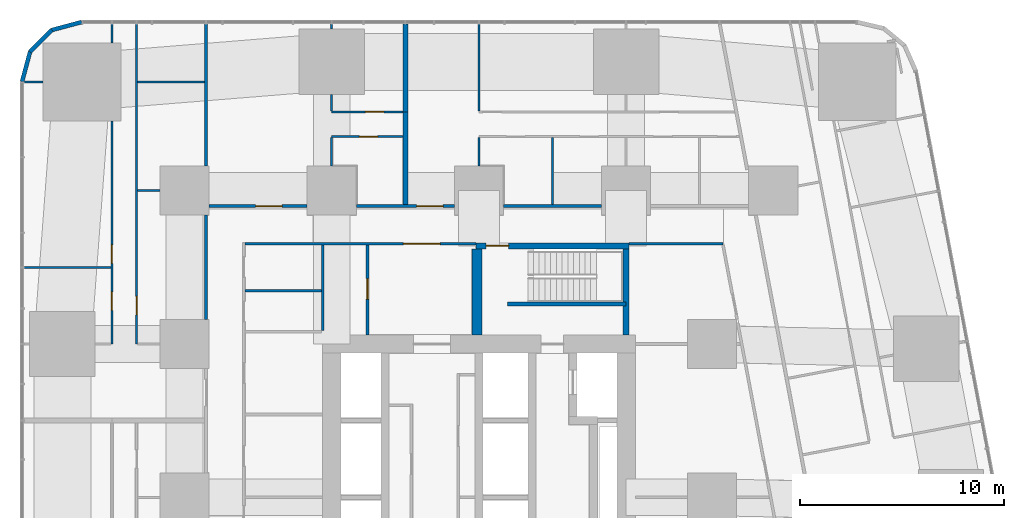
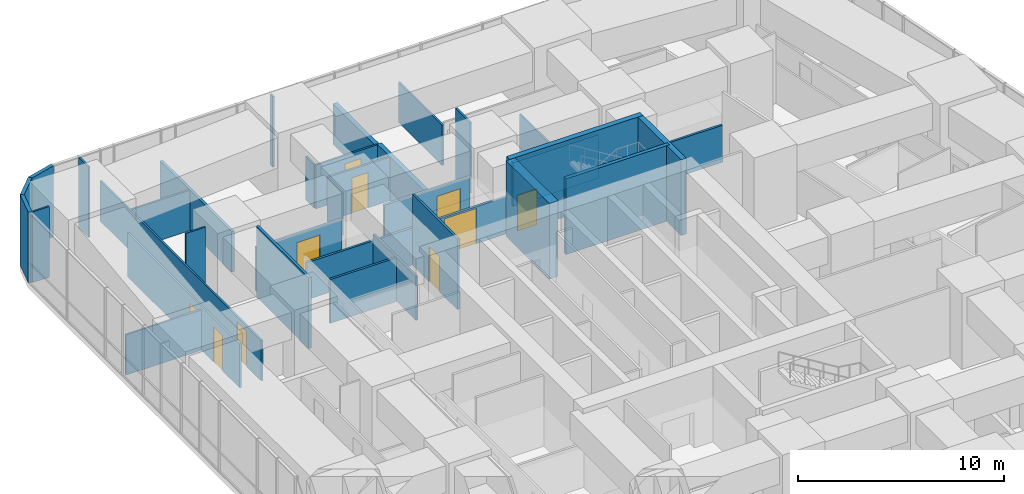
# One storey, part 18 of 22: 34 walls, 10 doors, 10 openings.
"""IFC4 building model written with IfcOpenShell, lengths in metres."""

from ifc_helpers import new_model, si_unit, direction, frame, frame_2d, origin, place, context, subcontext, project, spatial, rectangle, extrude, material, layer, layer_set, type_object, element, fill, save


model = new_model("IFC4")

# Units and contexts
model_context = context("Model", 3, precision=1e-05, world=origin(), true_north=direction((0.0, 1.0)))
body_context = subcontext(model_context, "Body", "Model", "MODEL_VIEW")
ifc_project = project(units=[si_unit("LENGTHUNIT", "METRE"), si_unit("AREAUNIT", "SQUARE_METRE"), si_unit("VOLUMEUNIT", "CUBIC_METRE"), si_unit("PLANEANGLEUNIT", "RADIAN"), si_unit("MASSUNIT", "GRAM", prefix="KILO")], contexts=[model_context])

# Site, building, storey
site_placement = place(None, origin())
site = spatial("IfcSite", under=ifc_project, at=site_placement, CompositionType="ELEMENT")
building_placement = place(site_placement, origin())
building = spatial("IfcBuilding", under=site, at=building_placement, Name="Sheger Commons Tower", CompositionType="ELEMENT")
storey_placement = place(building_placement, frame((0.0, 0.0, 10.10009765625)))
storey = spatial("IfcBuildingStorey", under=building, at=storey_placement, Name="L02", CompositionType="ELEMENT", Elevation=10.10009765625)

# Walls
ifc_material_1 = material(Name="Hollow concrete block masonry, skimmed both sides", Category="masonry")
ifc_layer_1 = layer(ifc_material_1, 0.14990234375)
ifc_layer_set_1 = layer_set([ifc_layer_1], Name="CORRIDOR WALL 150")
wall_type_1 = type_object("IfcWallType", Name="CORRIDOR WALL 150", PredefinedType="SOLIDWALL", material=ifc_layer_set_1)
wall_1_placement = place(storey_placement, frame((8.25, 31.200927734375, 0.0), z_axis=(0.0, 0.0, 1.0), x_axis=(0.0, 1.0, 0.0)))
element("IfcWall", 1, at=wall_1_placement, inside=storey, type_object=wall_type_1, Name="Corridor wall L02", PredefinedType="SOLIDWALL", context=body_context, shape_type="SweptSolid", body=[
    extrude(rectangle(XDim=5.09814453125, YDim=0.14990234375, at=frame_2d((2.549072265625, 0.0))), origin(), (0.0, 0.0, 1.0), 4.199951171875),
])
wall_2_placement = place(storey_placement, frame((8.25, 38.700927734375, 0.0), z_axis=(0.0, 0.0, 1.0), x_axis=(0.0, 1.0, 0.0)))
element("IfcWall", 2, at=wall_2_placement, inside=storey, type_object=wall_type_1, Name="Corridor wall L02", PredefinedType="SOLIDWALL", context=body_context, shape_type="SweptSolid", body=[
    extrude(rectangle(XDim=6.948974609375, YDim=0.14990234375, at=frame_2d((3.474609375, 0.0))), origin(), (0.0, 0.0, 1.0), 2.39990234375),
])

# Wall, opening, door
wall_3_placement = place(storey_placement, frame((8.40087890625, 36.75, 0.0), z_axis=(0.0, 0.0, 1.0), x_axis=(1.0, 0.0, 0.0)))
wall_3 = element("IfcWall", 3, at=wall_3_placement, inside=storey, type_object=wall_type_1, Name="Corridor wall L02", PredefinedType="SOLIDWALL", context=body_context, shape_type="SweptSolid", body=[
    extrude(rectangle(XDim=4.798095703125, YDim=0.14990234375, at=frame_2d((2.39892578125, 0.0))), origin(), (0.0, 0.0, 1.0), 2.599853515625),
])
opening_1_placement = place(wall_3_placement, frame((2.27392578125, 0.0, 0.0)))
opening_1 = element("IfcOpeningElement", 4, at=opening_1_placement, cuts=wall_3, Name="Opening D9", PredefinedType="OPENING", context=body_context, shape_type="SweptSolid", body=[
    extrude(rectangle(XDim=1.300048828125, YDim=2.10009765625, at=frame_2d((0.64990234375, 1.050048828125))), frame((0.0, 0.0849609375, 0.0), z_axis=(0.0, -1.0, 0.0), x_axis=(1.0, 0.0, 0.0)), (0.0, 0.0, 1.0), 0.169921875),
])
ifc_material_2 = material(Name="Steel door set, fire rated", Category="steel")
door_type_1 = type_object("IfcDoorType", Name="CLINIC SUITE DOOR 1300x2100", OperationType="DOUBLE_DOOR_SINGLE_SWING", PredefinedType="DOOR", material=ifc_material_2)
door_1_placement = place(opening_1_placement, origin())
door_1 = element("IfcDoor", 5, at=door_1_placement, inside=storey, type_object=door_type_1, Name="Suite door", OperationType="DOUBLE_DOOR_SINGLE_SWING", OverallHeight=2.10009765625, OverallWidth=1.300048828125, PredefinedType="DOOR", context=body_context, shape_type="SweptSolid", body=[
    extrude(rectangle(XDim=1.300048828125, YDim=2.10009765625, at=frame_2d((0.64990234375, 1.050048828125))), frame((0.0, 0.02490234375, 0.0), z_axis=(0.0, -1.0, 0.0), x_axis=(1.0, 0.0, 0.0)), (0.0, 0.0, 1.0), 0.050048828125),
])
fill(opening_1, door_1)

wall_4_placement = place(storey_placement, frame((15.60107421875, 36.75, 0.0), z_axis=(0.0, 0.0, 1.0), x_axis=(1.0, 0.0, 0.0)))
wall_4 = element("IfcWall", 6, at=wall_4_placement, inside=storey, type_object=wall_type_1, Name="Corridor wall L02", PredefinedType="SOLIDWALL", context=body_context, shape_type="SweptSolid", body=[
    extrude(rectangle(XDim=4.7978515625, YDim=0.14990234375, at=frame_2d((2.39892578125, 0.0))), origin(), (0.0, 0.0, 1.0), 2.599853515625),
])
opening_2_placement = place(wall_4_placement, frame((2.948974609375, 0.0, 0.0)))
opening_2 = element("IfcOpeningElement", 7, at=opening_2_placement, cuts=wall_4, Name="Opening D9", PredefinedType="OPENING", context=body_context, shape_type="SweptSolid", body=[
    extrude(rectangle(XDim=1.300048828125, YDim=2.10009765625, at=frame_2d((0.64990234375, 1.050048828125))), frame((0.0, 0.0849609375, 0.0), z_axis=(0.0, -1.0, 0.0), x_axis=(1.0, 0.0, 0.0)), (0.0, 0.0, 1.0), 0.169921875),
])
door_2_placement = place(opening_2_placement, origin())
door_2 = element("IfcDoor", 8, at=door_2_placement, inside=storey, type_object=door_type_1, Name="Suite door", OperationType="DOUBLE_DOOR_SINGLE_SWING", OverallHeight=2.10009765625, OverallWidth=1.300048828125, PredefinedType="DOOR", context=body_context, shape_type="SweptSolid", body=[
    extrude(rectangle(XDim=1.300048828125, YDim=2.10009765625, at=frame_2d((0.64990234375, 1.050048828125))), frame((0.0, 0.02490234375, 0.0), z_axis=(0.0, -1.0, 0.0), x_axis=(1.0, 0.0, 0.0)), (0.0, 0.0, 1.0), 0.050048828125),
])
fill(opening_2, door_2)

# Walls
wall_5_placement = place(storey_placement, frame((22.801025390625, 36.75, 0.0), z_axis=(0.0, 0.0, 1.0), x_axis=(1.0, 0.0, 0.0)))
element("IfcWall", 9, at=wall_5_placement, inside=storey, type_object=wall_type_1, Name="Corridor wall L02", PredefinedType="SOLIDWALL", context=body_context, shape_type="SweptSolid", body=[
    extrude(rectangle(XDim=4.798095703125, YDim=0.14990234375, at=frame_2d((2.39892578125, 0.0))), origin(), (0.0, 0.0, 1.0), 2.599853515625),
])
ifc_material_3 = material(Name="Dense concrete block masonry, plastered both sides (separating wall between flats)", Category="masonry")
ifc_layer_2 = layer(ifc_material_3, 0.25)
ifc_layer_set_2 = layer_set([ifc_layer_2], Name="DEMISING WALL 250")
wall_type_2 = type_object("IfcWallType", Name="DEMISING WALL 250", PredefinedType="SOLIDWALL", material=ifc_layer_set_2)
wall_6_placement = place(storey_placement, frame((18.0, 41.35009765625, 0.0), z_axis=(0.0, 0.0, 1.0), x_axis=(0.0, 1.0, 0.0)))
element("IfcWall", 10, at=wall_6_placement, inside=storey, type_object=wall_type_2, Name="Demising wall L02", PredefinedType="SOLIDWALL", context=body_context, shape_type="SweptSolid", body=[
    extrude(rectangle(XDim=4.2998046875, YDim=0.25, at=frame_2d((2.14990234375, 0.0))), origin(), (0.0, 0.0, 1.0), 2.39990234375),
])
wall_7_placement = place(storey_placement, frame((18.0, 36.824951171875, 0.0), z_axis=(0.0, 0.0, 1.0), x_axis=(0.0, 1.0, 0.0)))
element("IfcWall", 11, at=wall_7_placement, inside=storey, type_object=wall_type_2, Name="Demising wall L02", PredefinedType="SOLIDWALL", context=body_context, shape_type="SweptSolid", body=[
    extrude(rectangle(XDim=4.525146484375, YDim=0.25, at=frame_2d((2.2626953125, 0.0))), origin(), (0.0, 0.0, 1.0), 2.599853515625),
])
ifc_material_4 = material(Name="Rendered concrete block masonry, dark grey", Category="masonry")
ifc_layer_3 = layer(ifc_material_4, 0.199951171875)
ifc_layer_set_3 = layer_set([ifc_layer_3], Name="FACADE WALL 200")
wall_type_3 = type_object("IfcWallType", Name="FACADE WALL 200", PredefinedType="SOLIDWALL", material=ifc_layer_set_3)
wall_8_placement = place(storey_placement, frame((2.1630859375, 45.75, 0.0), z_axis=(0.0, 0.0, 1.0), x_axis=(-0.965832000415, -0.259168954497, 0.0)))
element("IfcWall", 12, at=wall_8_placement, inside=storey, type_object=wall_type_3, Name="Facade wall L02", PredefinedType="SOLIDWALL", context=body_context, shape_type="SweptSolid", body=[
    extrude(rectangle(XDim=1.512939453125, YDim=0.199951171875, at=frame_2d((0.75634765625, 0.0))), origin(), (0.0, 0.0, 1.0), 4.199951171875),
])
wall_9_placement = place(storey_placement, frame((0.701904296875, 45.35791015625, 0.0), z_axis=(0.0, 0.0, 1.0), x_axis=(-0.707106781187, -0.707106781187, 0.0)))
element("IfcWall", 13, at=wall_9_placement, inside=storey, type_object=wall_type_3, Name="Facade wall L02", PredefinedType="SOLIDWALL", context=body_context, shape_type="SweptSolid", body=[
    extrude(rectangle(XDim=1.498779296875, YDim=0.199951171875, at=frame_2d((0.74951171875, 0.0))), origin(), (0.0, 0.0, 1.0), 4.199951171875),
])
wall_10_placement = place(storey_placement, frame((-0.35791015625, 44.298095703125, 0.0), z_axis=(0.0, 0.0, 1.0), x_axis=(-0.259168954497, -0.965832000415, 0.0)))
element("IfcWall", 14, at=wall_10_placement, inside=storey, type_object=wall_type_3, Name="Facade wall L02", PredefinedType="SOLIDWALL", context=body_context, shape_type="SweptSolid", body=[
    extrude(rectangle(XDim=1.512939453125, YDim=0.199951171875, at=frame_2d((0.75634765625, 0.0))), origin(), (0.0, 0.0, 1.0), 4.199951171875),
])

# Wall, openings, doors
ifc_material_5 = material(Name="Gypsum board on steel studs", Category="steel")
ifc_layer_4 = layer(ifc_material_5, 0.10009765625)
ifc_layer_set_4 = layer_set([ifc_layer_4], Name="PARTITION 100")
wall_type_4 = type_object("IfcWallType", Name="PARTITION 100", PredefinedType="PARTITIONING", material=ifc_layer_set_4)
wall_11_placement = place(storey_placement, frame((3.64990234375, 30.0, 0.0), z_axis=(0.0, 0.0, 1.0), x_axis=(0.0, 1.0, 0.0)))
wall_11 = element("IfcWall", 15, at=wall_11_placement, inside=storey, type_object=wall_type_4, Name="Partition L02", PredefinedType="PARTITIONING", context=body_context, shape_type="SweptSolid", body=[
    extrude(rectangle(XDim=10.9130859375, YDim=0.10009765625, at=frame_2d((5.45654296875, 0.0))), origin(), (0.0, 0.0, 1.0), 2.599853515625),
])
opening_3_placement = place(wall_11_placement, frame((1.64990234375, 0.0, 0.0)))
opening_3 = element("IfcOpeningElement", 16, at=opening_3_placement, cuts=wall_11, Name="Opening D2", PredefinedType="OPENING", context=body_context, shape_type="SweptSolid", body=[
    extrude(rectangle(XDim=0.89990234375, YDim=2.10009765625, at=frame_2d((0.449951171875, 1.050048828125))), frame((0.0, 0.06005859375, 0.0), z_axis=(0.0, -1.0, 0.0), x_axis=(1.0, 0.0, 0.0)), (0.0, 0.0, 1.0), 0.1201171875),
])
opening_4_placement = place(wall_11_placement, frame((3.949951171875, 0.0, 0.0)))
opening_4 = element("IfcOpeningElement", 17, at=opening_4_placement, cuts=wall_11, Name="Opening D2", PredefinedType="OPENING", context=body_context, shape_type="SweptSolid", body=[
    extrude(rectangle(XDim=0.89990234375, YDim=2.10009765625, at=frame_2d((0.449951171875, 1.050048828125))), frame((0.0, 0.06005859375, 0.0), z_axis=(0.0, -1.0, 0.0), x_axis=(1.0, 0.0, 0.0)), (0.0, 0.0, 1.0), 0.1201171875),
])
ifc_material_6 = material(Name="Timber door set", Category="wood")
door_type_2 = type_object("IfcDoorType", Name="INTERNAL DOOR 900x2100", OperationType="NOTDEFINED", PredefinedType="DOOR", material=ifc_material_6)
door_3_placement = place(opening_3_placement, origin())
door_3 = element("IfcDoor", 18, at=door_3_placement, inside=storey, type_object=door_type_2, Name="Dental surgery door", OperationType="SINGLE_SWING_RIGHT", OverallHeight=2.10009765625, OverallWidth=0.89990234375, PredefinedType="DOOR", context=body_context, shape_type="SweptSolid", body=[
    extrude(rectangle(XDim=0.89990234375, YDim=2.10009765625, at=frame_2d((0.449951171875, 1.050048828125))), frame((0.0, 0.02490234375, 0.0), z_axis=(0.0, -1.0, 0.0), x_axis=(1.0, 0.0, 0.0)), (0.0, 0.0, 1.0), 0.050048828125),
])
fill(opening_3, door_3)
door_4_placement = place(opening_4_placement, origin())
door_4 = element("IfcDoor", 19, at=door_4_placement, inside=storey, type_object=door_type_2, Name="Maternal and child health room door", OperationType="SINGLE_SWING_LEFT", OverallHeight=2.10009765625, OverallWidth=0.89990234375, PredefinedType="DOOR", context=body_context, shape_type="SweptSolid", body=[
    extrude(rectangle(XDim=0.89990234375, YDim=2.10009765625, at=frame_2d((0.449951171875, 1.050048828125))), frame((0.0, 0.02490234375, 0.0), z_axis=(0.0, -1.0, 0.0), x_axis=(1.0, 0.0, 0.0)), (0.0, 0.0, 1.0), 0.050048828125),
])
fill(opening_4, door_4)

# Wall
wall_12_placement = place(storey_placement, frame((3.64990234375, 44.715087890625, 0.0), z_axis=(0.0, 0.0, 1.0), x_axis=(0.0, 1.0, 0.0)))
element("IfcWall", 20, at=wall_12_placement, inside=storey, type_object=wall_type_4, Name="Partition L02", PredefinedType="PARTITIONING", context=body_context, shape_type="SweptSolid", body=[
    extrude(rectangle(XDim=0.934814453125, YDim=0.10009765625, at=frame_2d((0.46728515625, 0.0))), origin(), (0.0, 0.0, 1.0), 4.199951171875),
])

# Wall, opening, door
wall_13_placement = place(storey_placement, frame((4.85009765625, 30.0, 0.0), z_axis=(0.0, 0.0, 1.0), x_axis=(0.0, 1.0, 0.0)))
wall_13 = element("IfcWall", 21, at=wall_13_placement, inside=storey, type_object=wall_type_4, Name="Partition L02", PredefinedType="PARTITIONING", context=body_context, shape_type="SweptSolid", body=[
    extrude(rectangle(XDim=15.64990234375, YDim=0.10009765625, at=frame_2d((7.824951171875, 0.0))), origin(), (0.0, 0.0, 1.0), 2.39990234375),
])
opening_5_placement = place(wall_13_placement, frame((1.425048828125, 0.0, 0.0)))
opening_5 = element("IfcOpeningElement", 22, at=opening_5_placement, cuts=wall_13, Name="Opening D2", PredefinedType="OPENING", context=body_context, shape_type="SweptSolid", body=[
    extrude(rectangle(XDim=0.89990234375, YDim=2.10009765625, at=frame_2d((0.449951171875, 1.050048828125))), frame((0.0, 0.06005859375, 0.0), z_axis=(0.0, -1.0, 0.0), x_axis=(1.0, 0.0, 0.0)), (0.0, 0.0, 1.0), 0.1201171875),
])
door_5_placement = place(opening_5_placement, origin())
door_5 = element("IfcDoor", 23, at=door_5_placement, inside=storey, type_object=door_type_2, Name="Treatment room door", OperationType="SINGLE_SWING_RIGHT", OverallHeight=2.10009765625, OverallWidth=0.89990234375, PredefinedType="DOOR", context=body_context, shape_type="SweptSolid", body=[
    extrude(rectangle(XDim=0.89990234375, YDim=2.10009765625, at=frame_2d((0.449951171875, 1.050048828125))), frame((0.0, 0.02490234375, 0.0), z_axis=(0.0, -1.0, 0.0), x_axis=(1.0, 0.0, 0.0)), (0.0, 0.0, 1.0), 0.050048828125),
])
fill(opening_5, door_5)

# Walls
wall_14_placement = place(storey_placement, frame((-0.64990234375, 33.75, 0.0), z_axis=(0.0, 0.0, 1.0), x_axis=(1.0, 0.0, 0.0)))
element("IfcWall", 24, at=wall_14_placement, inside=storey, type_object=wall_type_4, Name="Partition L02", PredefinedType="PARTITIONING", context=body_context, shape_type="SweptSolid", body=[
    extrude(rectangle(XDim=4.25, YDim=0.10009765625, at=frame_2d((2.125, 0.0))), origin(), (0.0, 0.0, 1.0), 2.39990234375),
])
wall_15_placement = place(storey_placement, frame((-0.64990234375, 42.81396484375, 0.0), z_axis=(0.0, 0.0, 1.0), x_axis=(1.0, 0.0, 0.0)))
element("IfcWall", 25, at=wall_15_placement, inside=storey, type_object=wall_type_4, Name="Partition L02", PredefinedType="PARTITIONING", context=body_context, shape_type="SweptSolid", body=[
    extrude(rectangle(XDim=0.934814453125, YDim=0.10009765625, at=frame_2d((0.46728515625, 0.0))), origin(), (0.0, 0.0, 1.0), 4.199951171875),
])
wall_16_placement = place(storey_placement, frame((4.89990234375, 37.5, 0.0), z_axis=(0.0, 0.0, 1.0), x_axis=(1.0, 0.0, 0.0)))
element("IfcWall", 26, at=wall_16_placement, inside=storey, type_object=wall_type_4, Name="Partition L02", PredefinedType="PARTITIONING", context=body_context, shape_type="SweptSolid", body=[
    extrude(rectangle(XDim=1.09912109375, YDim=0.10009765625, at=frame_2d((0.549560546875, 0.0))), origin(), (0.0, 0.0, 1.0), 4.199951171875),
])
wall_17_placement = place(storey_placement, frame((4.89990234375, 42.81396484375, 0.0), z_axis=(0.0, 0.0, 1.0), x_axis=(1.0, 0.0, 0.0)))
element("IfcWall", 27, at=wall_17_placement, inside=storey, type_object=wall_type_4, Name="Partition L02", PredefinedType="PARTITIONING", context=body_context, shape_type="SweptSolid", body=[
    extrude(rectangle(XDim=3.275146484375, YDim=0.10009765625, at=frame_2d((1.6376953125, 0.0))), origin(), (0.0, 0.0, 1.0), 2.39990234375),
])

# Wall, opening, door
wall_18_placement = place(storey_placement, frame((14.39990234375, 41.35009765625, 0.0), z_axis=(0.0, 0.0, 1.0), x_axis=(1.0, 0.0, 0.0)))
wall_18 = element("IfcWall", 28, at=wall_18_placement, inside=storey, type_object=wall_type_4, Name="Partition L02", PredefinedType="PARTITIONING", context=body_context, shape_type="SweptSolid", body=[
    extrude(rectangle(XDim=3.47509765625, YDim=0.10009765625, at=frame_2d((1.737548828125, 0.0))), origin(), (0.0, 0.0, 1.0), 2.599853515625),
])
opening_6_placement = place(wall_18_placement, frame((1.64990234375, 0.0, 0.0)))
opening_6 = element("IfcOpeningElement", 29, at=opening_6_placement, cuts=wall_18, Name="Opening D2", PredefinedType="OPENING", context=body_context, shape_type="SweptSolid", body=[
    extrude(rectangle(XDim=0.89990234375, YDim=2.10009765625, at=frame_2d((0.449951171875, 1.050048828125))), frame((0.0, 0.06005859375, 0.0), z_axis=(0.0, -1.0, 0.0), x_axis=(1.0, 0.0, 0.0)), (0.0, 0.0, 1.0), 0.1201171875),
])
door_6_placement = place(opening_6_placement, origin())
door_6 = element("IfcDoor", 30, at=door_6_placement, inside=storey, type_object=door_type_2, Name="Dental surgery door", OperationType="SINGLE_SWING_RIGHT", OverallHeight=2.10009765625, OverallWidth=0.89990234375, PredefinedType="DOOR", context=body_context, shape_type="SweptSolid", body=[
    extrude(rectangle(XDim=0.89990234375, YDim=2.10009765625, at=frame_2d((0.449951171875, 1.050048828125))), frame((0.0, 0.02490234375, 0.0), z_axis=(0.0, -1.0, 0.0), x_axis=(1.0, 0.0, 0.0)), (0.0, 0.0, 1.0), 0.050048828125),
])
fill(opening_6, door_6)

wall_19_placement = place(storey_placement, frame((14.39990234375, 40.14990234375, 0.0), z_axis=(0.0, 0.0, 1.0), x_axis=(1.0, 0.0, 0.0)))
wall_19 = element("IfcWall", 31, at=wall_19_placement, inside=storey, type_object=wall_type_4, Name="Partition L02", PredefinedType="PARTITIONING", context=body_context, shape_type="SweptSolid", body=[
    extrude(rectangle(XDim=3.47509765625, YDim=0.10009765625, at=frame_2d((1.737548828125, 0.0))), origin(), (0.0, 0.0, 1.0), 2.599853515625),
])
opening_7_placement = place(wall_19_placement, frame((1.35009765625, 0.0, 0.0)))
opening_7 = element("IfcOpeningElement", 32, at=opening_7_placement, cuts=wall_19, Name="Opening D2", PredefinedType="OPENING", context=body_context, shape_type="SweptSolid", body=[
    extrude(rectangle(XDim=0.89990234375, YDim=2.10009765625, at=frame_2d((0.449951171875, 1.050048828125))), frame((0.0, 0.06005859375, 0.0), z_axis=(0.0, -1.0, 0.0), x_axis=(1.0, 0.0, 0.0)), (0.0, 0.0, 1.0), 0.1201171875),
])
door_7_placement = place(opening_7_placement, origin())
door_7 = element("IfcDoor", 33, at=door_7_placement, inside=storey, type_object=door_type_2, Name="Patient WC door", OperationType="SINGLE_SWING_LEFT", OverallHeight=2.10009765625, OverallWidth=0.89990234375, PredefinedType="DOOR", context=body_context, shape_type="SweptSolid", body=[
    extrude(rectangle(XDim=0.89990234375, YDim=2.10009765625, at=frame_2d((0.449951171875, 1.050048828125))), frame((0.0, 0.02490234375, 0.0), z_axis=(0.0, -1.0, 0.0), x_axis=(1.0, 0.0, 0.0)), (0.0, 0.0, 1.0), 0.050048828125),
])
fill(opening_7, door_7)

# Walls
wall_20_placement = place(storey_placement, frame((14.39990234375, 41.39990234375, 0.0), z_axis=(0.0, 0.0, 1.0), x_axis=(0.0, 1.0, 0.0)))
element("IfcWall", 34, at=wall_20_placement, inside=storey, type_object=wall_type_4, Name="Partition L02", PredefinedType="PARTITIONING", context=body_context, shape_type="SweptSolid", body=[
    extrude(rectangle(XDim=0.799072265625, YDim=0.10009765625, at=frame_2d((0.3994140625, 0.0))), origin(), (0.0, 0.0, 1.0), 2.599853515625),
])
wall_21_placement = place(storey_placement, frame((14.39990234375, 45.40087890625, 0.0), z_axis=(0.0, 0.0, 1.0), x_axis=(0.0, 1.0, 0.0)))
element("IfcWall", 35, at=wall_21_placement, inside=storey, type_object=wall_type_4, Name="Partition L02", PredefinedType="PARTITIONING", context=body_context, shape_type="SweptSolid", body=[
    extrude(rectangle(XDim=0.2490234375, YDim=0.10009765625, at=frame_2d((0.12451171875, 0.0))), origin(), (0.0, 0.0, 1.0), 4.199951171875),
])
wall_22_placement = place(storey_placement, frame((14.39990234375, 38.700927734375, 0.0), z_axis=(0.0, 0.0, 1.0), x_axis=(0.0, 1.0, 0.0)))
element("IfcWall", 36, at=wall_22_placement, inside=storey, type_object=wall_type_4, Name="Partition L02", PredefinedType="PARTITIONING", context=body_context, shape_type="SweptSolid", body=[
    extrude(rectangle(XDim=1.399169921875, YDim=0.10009765625, at=frame_2d((0.69970703125, 0.0))), origin(), (0.0, 0.0, 1.0), 2.599853515625),
])
wall_23_placement = place(storey_placement, frame((21.60009765625, 41.39990234375, 0.0), z_axis=(0.0, 0.0, 1.0), x_axis=(0.0, 1.0, 0.0)))
element("IfcWall", 37, at=wall_23_placement, inside=storey, type_object=wall_type_4, Name="Partition L02", PredefinedType="PARTITIONING", context=body_context, shape_type="SweptSolid", body=[
    extrude(rectangle(XDim=4.25, YDim=0.10009765625, at=frame_2d((2.125, 0.0))), origin(), (0.0, 0.0, 1.0), 2.39990234375),
])
wall_24_placement = place(storey_placement, frame((21.60009765625, 38.700927734375, 0.0), z_axis=(0.0, 0.0, 1.0), x_axis=(0.0, 1.0, 0.0)))
element("IfcWall", 38, at=wall_24_placement, inside=storey, type_object=wall_type_4, Name="Partition L02", PredefinedType="PARTITIONING", context=body_context, shape_type="SweptSolid", body=[
    extrude(rectangle(XDim=1.399169921875, YDim=0.10009765625, at=frame_2d((0.69970703125, 0.0))), origin(), (0.0, 0.0, 1.0), 4.199951171875),
])
wall_25_placement = place(storey_placement, frame((25.199951171875, 36.824951171875, 0.0), z_axis=(0.0, 0.0, 1.0), x_axis=(0.0, 1.0, 0.0)))
element("IfcWall", 39, at=wall_25_placement, inside=storey, type_object=wall_type_4, Name="Partition L02", PredefinedType="PARTITIONING", context=body_context, shape_type="SweptSolid", body=[
    extrude(rectangle(XDim=3.275146484375, YDim=0.10009765625, at=frame_2d((1.6376953125, 0.0))), origin(), (0.0, 0.0, 1.0), 2.599853515625),
])
ifc_material_7 = material(Name="Gypsum board on steel studs, two layers each side, fire rated", Category="steel")
ifc_layer_5 = layer(ifc_material_7, 0.125)
ifc_layer_set_5 = layer_set([ifc_layer_5], Name="SERVICE WALL 125")
wall_type_5 = type_object("IfcWallType", Name="SERVICE WALL 125", PredefinedType="PARTITIONING", material=ifc_layer_set_5)
wall_26_placement = place(storey_placement, frame((13.949951171875, 30.6630859375, 0.0), z_axis=(0.0, 0.0, 1.0), x_axis=(0.0, 1.0, 0.0)))
element("IfcWall", 40, at=wall_26_placement, inside=storey, type_object=wall_type_5, Name="Service room wall L02", PredefinedType="PARTITIONING", context=body_context, shape_type="SweptSolid", body=[
    extrude(rectangle(XDim=4.173828125, YDim=0.125, at=frame_2d((2.0869140625, 0.0))), origin(), (0.0, 0.0, 1.0), 2.599853515625),
])

# Wall, opening, door
wall_27_placement = place(storey_placement, frame((10.1630859375, 34.89990234375, 0.0), z_axis=(0.0, 0.0, 1.0), x_axis=(1.0, 0.0, 0.0)))
wall_27 = element("IfcWall", 41, at=wall_27_placement, inside=storey, type_object=wall_type_5, Name="Service room wall L02", PredefinedType="PARTITIONING", context=body_context, shape_type="SweptSolid", body=[
    extrude(rectangle(XDim=11.286865234375, YDim=0.125, at=frame_2d((5.6435546875, 0.0))), origin(), (0.0, 0.0, 1.0), 2.199951171875),
])
opening_8_placement = place(wall_27_placement, frame((7.737060546875, 0.0, 0.0)))
opening_8 = element("IfcOpeningElement", 42, at=opening_8_placement, cuts=wall_27, Name="Opening D6", PredefinedType="OPENING", context=body_context, shape_type="SweptSolid", body=[
    extrude(rectangle(XDim=1.800048828125, YDim=2.10009765625, at=frame_2d((0.89990234375, 1.050048828125))), frame((0.0, 0.072509765625, 0.0), z_axis=(0.0, -1.0, 0.0), x_axis=(1.0, 0.0, 0.0)), (0.0, 0.0, 1.0), 0.14501953125),
])
ifc_material_8 = material(Name="Steel door set, fire rated", Category="steel")
door_type_3 = type_object("IfcDoorType", Name="LOBBY DOUBLE DOOR 1800x2100", OperationType="DOUBLE_DOOR_SINGLE_SWING", PredefinedType="DOOR", material=ifc_material_8)
door_8_placement = place(opening_8_placement, origin())
door_8 = element("IfcDoor", 43, at=door_8_placement, inside=storey, type_object=door_type_3, Name="Lift lobby north door", OperationType="DOUBLE_DOOR_SINGLE_SWING", OverallHeight=2.10009765625, OverallWidth=1.800048828125, PredefinedType="DOOR", context=body_context, shape_type="SweptSolid", body=[
    extrude(rectangle(XDim=1.800048828125, YDim=2.10009765625, at=frame_2d((0.89990234375, 1.050048828125))), frame((0.0, 0.02490234375, 0.0), z_axis=(0.0, -1.0, 0.0), x_axis=(1.0, 0.0, 0.0)), (0.0, 0.0, 1.0), 0.050048828125),
])
fill(opening_8, door_8)

wall_28_placement = place(storey_placement, frame((16.14990234375, 30.449951171875, 0.0), z_axis=(0.0, 0.0, 1.0), x_axis=(0.0, 1.0, 0.0)))
wall_28 = element("IfcWall", 44, at=wall_28_placement, inside=storey, type_object=wall_type_5, Name="Service room wall L02", PredefinedType="PARTITIONING", context=body_context, shape_type="SweptSolid", body=[
    extrude(rectangle(XDim=4.386962890625, YDim=0.125, at=frame_2d((2.193359375, 0.0))), origin(), (0.0, 0.0, 1.0), 4.199951171875),
])
opening_9_placement = place(wall_28_placement, frame((1.75, 0.0, 0.0)))
opening_9 = element("IfcOpeningElement", 45, at=opening_9_placement, cuts=wall_28, Name="Opening D4", PredefinedType="OPENING", context=body_context, shape_type="SweptSolid", body=[
    extrude(rectangle(XDim=1.0, YDim=2.10009765625, at=frame_2d((0.5, 1.050048828125))), frame((0.0, 0.072509765625, 0.0), z_axis=(0.0, -1.0, 0.0), x_axis=(1.0, 0.0, 0.0)), (0.0, 0.0, 1.0), 0.14501953125),
])
ifc_material_9 = material(Name="Steel door set, fire rated", Category="steel")
door_type_4 = type_object("IfcDoorType", Name="SERVICE DOOR 1000x2100", OperationType="NOTDEFINED", PredefinedType="DOOR", material=ifc_material_9)
door_9_placement = place(opening_9_placement, origin())
door_9 = element("IfcDoor", 46, at=door_9_placement, inside=storey, type_object=door_type_4, Name="Telecom room door", OperationType="SINGLE_SWING_RIGHT", OverallHeight=2.10009765625, OverallWidth=1.0, PredefinedType="DOOR", context=body_context, shape_type="SweptSolid", body=[
    extrude(rectangle(XDim=1.0, YDim=2.10009765625, at=frame_2d((0.5, 1.050048828125))), frame((0.0, 0.02490234375, 0.0), z_axis=(0.0, -1.0, 0.0), x_axis=(1.0, 0.0, 0.0)), (0.0, 0.0, 1.0), 0.050048828125),
])
fill(opening_9, door_9)

# Walls
wall_29_placement = place(storey_placement, frame((28.949951171875, 34.89990234375, 0.0), z_axis=(0.0, 0.0, 1.0), x_axis=(1.0, 0.0, 0.0)))
element("IfcWall", 47, at=wall_29_placement, inside=storey, type_object=wall_type_5, Name="Service room wall L02", PredefinedType="PARTITIONING", context=body_context, shape_type="SweptSolid", body=[
    extrude(rectangle(XDim=4.588134765625, YDim=0.125, at=frame_2d((2.2939453125, 0.0))), origin(), (0.0, 0.0, 1.0), 2.199951171875),
])
wall_30_placement = place(storey_placement, frame((10.1630859375, 32.60009765625, 0.0), z_axis=(0.0, 0.0, 1.0), x_axis=(1.0, 0.0, 0.0)))
element("IfcWall", 48, at=wall_30_placement, inside=storey, type_object=wall_type_5, Name="Service room wall L02", PredefinedType="PARTITIONING", context=body_context, shape_type="SweptSolid", body=[
    extrude(rectangle(XDim=3.724853515625, YDim=0.125, at=frame_2d((1.8623046875, 0.0))), origin(), (0.0, 0.0, 1.0), 2.599853515625),
])

# Wall, opening, door
ifc_material_10 = material(Name="Concrete C50/60", Category="concrete")
ifc_layer_6 = layer(ifc_material_10, 0.300048828125)
ifc_layer_set_6 = layer_set([ifc_layer_6], Name="STAIR CORE WALL 300")
wall_type_6 = type_object("IfcWallType", Name="STAIR CORE WALL 300", PredefinedType="SHEAR", material=ifc_layer_set_6)
wall_31_placement = place(storey_placement, frame((21.449951171875, 34.800048828125, 0.0), z_axis=(0.0, 0.0, 1.0), x_axis=(1.0, 0.0, 0.0)))
wall_31 = element("IfcWall", 49, at=wall_31_placement, inside=storey, type_object=wall_type_6, Name="STW-L02-S2N", PredefinedType="SHEAR", context=body_context, shape_type="SweptSolid", body=[
    extrude(rectangle(XDim=7.5, YDim=0.300048828125, at=frame_2d((3.75, 0.0))), origin(), (0.0, 0.0, 1.0), 4.5),
])
opening_10_placement = place(wall_31_placement, frame((0.5, 0.0, 0.0)))
opening_10 = element("IfcOpeningElement", 50, at=opening_10_placement, cuts=wall_31, Name="Opening D5", PredefinedType="OPENING", context=body_context, shape_type="SweptSolid", body=[
    extrude(rectangle(XDim=1.10009765625, YDim=2.10009765625, at=frame_2d((0.550048828125, 1.050048828125))), frame((0.0, 0.159912109375, 0.0), z_axis=(0.0, -1.0, 0.0), x_axis=(1.0, 0.0, 0.0)), (0.0, 0.0, 1.0), 0.320068359375),
])
ifc_material_11 = material(Name="Steel door set, fire rated", Category="steel")
door_type_5 = type_object("IfcDoorType", Name="STAIR DOOR 1100x2100", OperationType="NOTDEFINED", PredefinedType="DOOR", material=ifc_material_11)
door_10_placement = place(opening_10_placement, origin())
door_10 = element("IfcDoor", 51, at=door_10_placement, inside=storey, type_object=door_type_5, Name="Stair S2 door", OperationType="SINGLE_SWING_RIGHT", OverallHeight=2.10009765625, OverallWidth=1.10009765625, PredefinedType="DOOR", context=body_context, shape_type="SweptSolid", body=[
    extrude(rectangle(XDim=1.10009765625, YDim=2.10009765625, at=frame_2d((0.550048828125, 1.050048828125))), frame((0.0, 0.02490234375, 0.0), z_axis=(0.0, -1.0, 0.0), x_axis=(1.0, 0.0, 0.0)), (0.0, 0.0, 1.0), 0.050048828125),
])
fill(opening_10, door_10)

# Walls
wall_32_placement = place(storey_placement, frame((28.800048828125, 30.449951171875, 0.0), z_axis=(0.0, 0.0, 1.0), x_axis=(0.0, 1.0, 0.0)))
element("IfcWall", 52, at=wall_32_placement, inside=storey, type_object=wall_type_6, Name="STW-L02-S2E", PredefinedType="SHEAR", context=body_context, shape_type="SweptSolid", body=[
    extrude(rectangle(XDim=4.199951171875, YDim=0.300048828125, at=frame_2d((2.10009765625, 0.0))), origin(), (0.0, 0.0, 1.0), 4.5),
])
ifc_material_12 = material(Name="Concrete C50/60", Category="concrete")
ifc_layer_7 = layer(ifc_material_12, 0.5)
ifc_layer_set_7 = layer_set([ifc_layer_7], Name="STAIR CORE WALL 500")
wall_type_7 = type_object("IfcWallType", Name="STAIR CORE WALL 500", PredefinedType="SHEAR", material=ifc_layer_set_7)
wall_33_placement = place(storey_placement, frame((21.5, 30.449951171875, 0.0), z_axis=(0.0, 0.0, 1.0), x_axis=(0.0, 1.0, 0.0)))
element("IfcWall", 53, at=wall_33_placement, inside=storey, type_object=wall_type_7, Name="STW-L02-S2W", PredefinedType="SHEAR", context=body_context, shape_type="SweptSolid", body=[
    extrude(rectangle(XDim=4.199951171875, YDim=0.5, at=frame_2d((2.10009765625, 0.0))), origin(), (0.0, 0.0, 1.0), 4.5),
])
ifc_material_13 = material(Name="Concrete C50/60", Category="concrete")
ifc_layer_8 = layer(ifc_material_13, 0.199951171875)
ifc_layer_set_8 = layer_set([ifc_layer_8], Name="STAIR SPINE WALL 200")
wall_type_8 = type_object("IfcWallType", Name="STAIR SPINE WALL 200", PredefinedType="SHEAR", material=ifc_layer_set_8)
wall_34_placement = place(storey_placement, frame((23.0, 31.949951171875, 0.0), z_axis=(0.0, 0.0, 1.0), x_axis=(1.0, 0.0, 0.0)))
element("IfcWall", 54, at=wall_34_placement, inside=storey, type_object=wall_type_8, Name="Stair spine wall L02", PredefinedType="SHEAR", context=body_context, shape_type="SweptSolid", body=[
    extrude(rectangle(XDim=5.800048828125, YDim=0.199951171875, at=frame_2d((2.89990234375, 0.0))), origin(), (0.0, 0.0, 1.0), 4.5),
])

save(model, "model.ifc")
